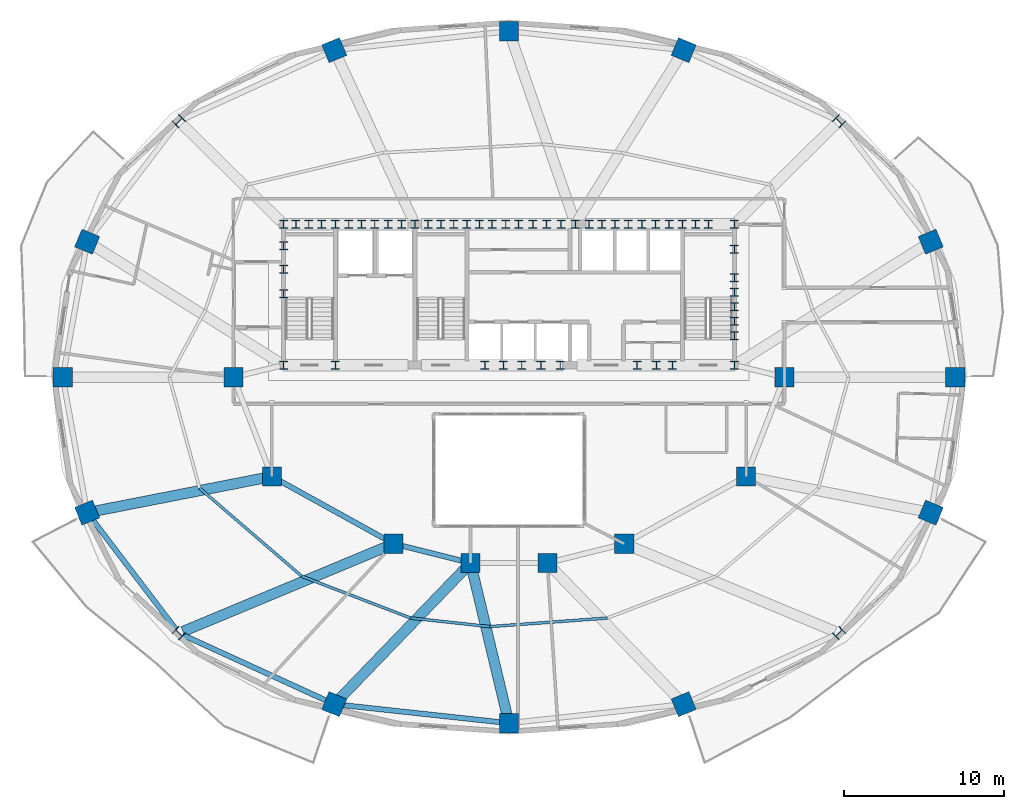
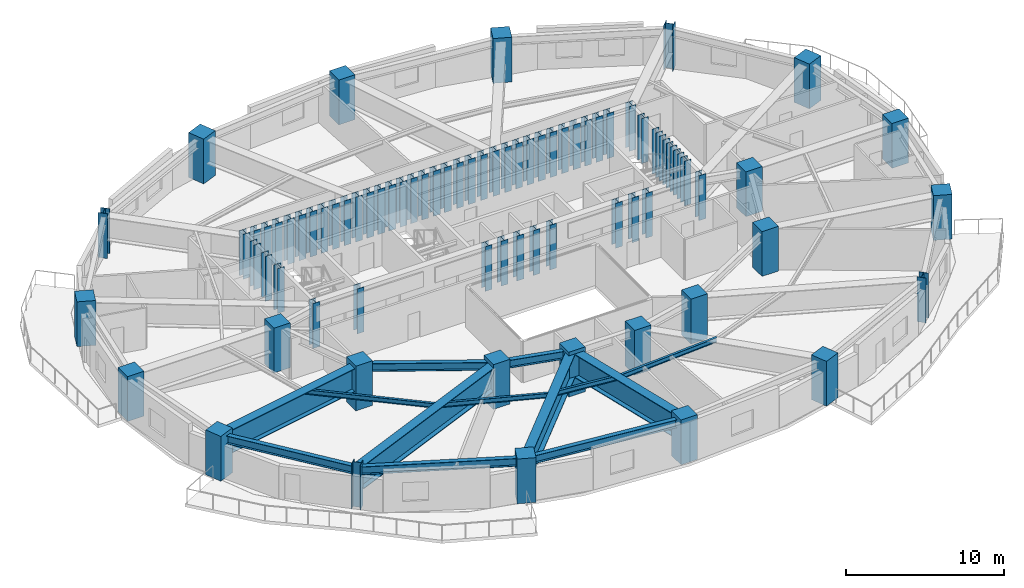
# One storey, part 1 of 13: 78 columns, 13 beams.
"""IFC4 building model written with IfcOpenShell, lengths in metres."""

from ifc_helpers import new_model, si_unit, direction, frame, origin, origin_2d, place, context, subcontext, project, spatial, rectangle, i_section, extrude, material, material_profile, profile_set, type_object, element, save


model = new_model("IFC4")

# Units and contexts
model_context = context("Model", 3, precision=1e-05, world=origin(), true_north=direction((0.0, 1.0)))
body_context = subcontext(model_context, "Body", "Model", "MODEL_VIEW")
ifc_project = project(units=[si_unit("LENGTHUNIT", "METRE"), si_unit("AREAUNIT", "SQUARE_METRE"), si_unit("VOLUMEUNIT", "CUBIC_METRE"), si_unit("PLANEANGLEUNIT", "RADIAN"), si_unit("MASSUNIT", "GRAM", prefix="KILO")], contexts=[model_context])

# Site, building, storey
site_placement = place(None, origin())
site = spatial("IfcSite", under=ifc_project, at=site_placement, CompositionType="ELEMENT")
building_placement = place(site_placement, origin())
building = spatial("IfcBuilding", under=site, at=building_placement, Name="Haldorwick Loom Tower", CompositionType="ELEMENT")
storey_placement = place(building_placement, frame((0.0, 0.0, 127.699951171875)))
storey = spatial("IfcBuildingStorey", under=building, at=storey_placement, Name="L34", CompositionType="ELEMENT", Elevation=127.699951171875)

# Columns
ifc_material_1 = material(Name="Concrete C60 (60 MPa)", Category="concrete")
ifc_material_profile_1 = material_profile(ifc_material_1, rectangle(XDim=1.199951171875, YDim=1.199951171875, at=origin_2d()), Name="RC1200X1200", Category="concrete")
ifc_profile_set_1 = profile_set([ifc_material_profile_1], Name="Concrete C60 (60 MPa)")
column_type_1 = type_object("IfcColumnType", Name="STR-COL-RC1200", PredefinedType="COLUMN", material=ifc_profile_set_1)
for number, where, z_axis, x_axis, name in (
    (1, (53.199951171875, 26.0, 0.0), (0.0, 0.0, 1.0), (1.0, 0.0, 0.0), "L34 Inner Column IC-01"),
    (2, (50.800048828125, 19.800048828125, 0.0), (0.0, 0.0, 1.0), (1.0, 0.0, 0.0), "L34 Inner Column IC-02"),
    (3, (43.199951171875, 15.60009765625, 0.0), (0.0, 0.0, 1.0), (1.0, 0.0, 0.0), "L34 Inner Column IC-03"),
    (4, (38.39990234375, 14.39990234375, 0.0), (0.0, 0.0, 1.0), (1.0, 0.0, 0.0), "L34 Inner Column IC-04"),
    (5, (33.60009765625, 14.39990234375, 0.0), (0.0, 0.0, 1.0), (1.0, 0.0, 0.0), "L34 Inner Column IC-05"),
    (6, (28.800048828125, 15.60009765625, 0.0), (0.0, 0.0, 1.0), (1.0, 0.0, 0.0), "L34 Inner Column IC-06"),
    (7, (21.199951171875, 19.800048828125, 0.0), (0.0, 0.0, 1.0), (1.0, 0.0, 0.0), "L34 Inner Column IC-07"),
    (8, (18.800048828125, 26.0, 0.0), (0.0, 0.0, 1.0), (1.0, 0.0, 0.0), "L34 Inner Column IC-08"),
    (9, (63.857666015625, 26.0, 0.0), (0.0, 0.0, 1.0), (1.0, 0.0, 0.0), "L34 Perimeter Pier Column P01"),
    (10, (62.33056640625, 34.457275390625, 0.0), (0.0, 0.0, 1.0), (0.923879532511, 0.382683432365, 0.0), "L34 Perimeter Pier Column P02"),
    (11, (46.906494140625, 46.417724609375, 0.0), (0.0, 0.0, 1.0), (0.382683432365, 0.923879532511, 0.0), "L34 Perimeter Pier Column P04"),
    (12, (36.0, 47.598388671875, 0.0), (0.0, 0.0, 1.0), (0.0, 1.0, 0.0), "L34 Perimeter Pier Column P05"),
    (13, (25.093505859375, 46.417724609375, 0.0), (0.0, 0.0, 1.0), (-0.382683432365, 0.923879532511, 0.0), "L34 Perimeter Pier Column P06"),
    (14, (9.66943359375, 34.457275390625, 0.0), (0.0, 0.0, 1.0), (-0.923879532511, 0.382683432365, 0.0), "L34 Perimeter Pier Column P08"),
    (15, (8.142333984375, 26.0, 0.0), (0.0, 0.0, 1.0), (-1.0, 0.0, 0.0), "L34 Perimeter Pier Column P09"),
    (16, (9.66943359375, 17.542724609375, 0.0), (0.0, 0.0, 1.0), (-0.923879532511, -0.382683432365, 0.0), "L34 Perimeter Pier Column P10"),
    (17, (25.093505859375, 5.582275390625, 0.0), (0.0, 0.0, 1.0), (-0.382683432365, -0.923879532511, 0.0), "L34 Perimeter Pier Column P12"),
    (18, (36.0, 4.401611328125, 0.0), (0.0, 0.0, 1.0), (0.0, -1.0, 0.0), "L34 Perimeter Pier Column P13"),
    (19, (46.906494140625, 5.582275390625, 0.0), (0.0, 0.0, 1.0), (0.382683432365, -0.923879532511, 0.0), "L34 Perimeter Pier Column P14"),
    (20, (62.33056640625, 17.542724609375, 0.0), (0.0, 0.0, 1.0), (0.923879532511, -0.382683432365, 0.0), "L34 Perimeter Pier Column P16"),
):
    element("IfcColumn", number, at=place(storey_placement, frame(where, z_axis=z_axis, x_axis=x_axis)), inside=storey, type_object=column_type_1, Name=name, PredefinedType="COLUMN", context=body_context, shape_type="SweptSolid", body=[
        extrude(rectangle(XDim=1.199951171875, YDim=1.199951171875, at=origin_2d()), origin(), (0.0, 0.0, 1.0), 3.449951171875),
    ])
ifc_material_2 = material(Name="Steel CSA G40.21 350WT", Category="steel")
ifc_material_profile_2 = material_profile(ifc_material_2, i_section(OverallWidth=0.5, OverallDepth=0.5, WebThickness=0.02197265625, FlangeThickness=0.031982421875, at=origin_2d()), Name="WWF500X500", Category="steel")
ifc_profile_set_2 = profile_set([ifc_material_profile_2], Name="Steel CSA G40.21 350WT")
column_type_2 = type_object("IfcColumnType", Name="STR-COL-WWF500", PredefinedType="COLUMN", material=ifc_profile_set_2)
for number, where, z_axis, x_axis, name in (
    (21, (21.929931640625, 35.550048828125, 0.0), (0.0, 0.0, 1.0), (1.0, 0.0, 0.0), "L34 Core Pilaster CB-01"),
    (22, (23.5, 35.550048828125, 0.0), (0.0, 0.0, 1.0), (1.0, 0.0, 0.0), "L34 Core Pilaster CB-02"),
    (23, (25.169921875, 35.550048828125, 0.0), (0.0, 0.0, 1.0), (1.0, 0.0, 0.0), "L34 Core Pilaster CB-03"),
    (24, (26.800048828125, 35.550048828125, 0.0), (0.0, 0.0, 1.0), (1.0, 0.0, 0.0), "L34 Core Pilaster CB-04"),
    (25, (28.449951171875, 35.550048828125, 0.0), (0.0, 0.0, 1.0), (1.0, 0.0, 0.0), "L34 Core Pilaster CB-05"),
    (26, (30.1298828125, 35.550048828125, 0.0), (0.0, 0.0, 1.0), (1.0, 0.0, 0.0), "L34 Core Pilaster CB-06"),
    (27, (31.75, 35.550048828125, 0.0), (0.0, 0.0, 1.0), (1.0, 0.0, 0.0), "L34 Core Pilaster CB-07"),
    (28, (33.3701171875, 35.550048828125, 0.0), (0.0, 0.0, 1.0), (1.0, 0.0, 0.0), "L34 Core Pilaster CB-08"),
    (29, (34.949951171875, 35.550048828125, 0.0), (0.0, 0.0, 1.0), (1.0, 0.0, 0.0), "L34 Core Pilaster CB-09"),
    (30, (36.60009765625, 35.550048828125, 0.0), (0.0, 0.0, 1.0), (1.0, 0.0, 0.0), "L34 Core Pilaster CB-10"),
    (31, (38.35009765625, 35.550048828125, 0.0), (0.0, 0.0, 1.0), (1.0, 0.0, 0.0), "L34 Core Pilaster CB-11"),
    (32, (40.14990234375, 35.550048828125, 0.0), (0.0, 0.0, 1.0), (1.0, 0.0, 0.0), "L34 Core Pilaster CB-12"),
    (33, (41.800048828125, 35.550048828125, 0.0), (0.0, 0.0, 1.0), (1.0, 0.0, 0.0), "L34 Core Pilaster CB-13"),
    (34, (43.449951171875, 35.550048828125, 0.0), (0.0, 0.0, 1.0), (1.0, 0.0, 0.0), "L34 Core Pilaster CB-14"),
    (35, (45.14990234375, 35.550048828125, 0.0), (0.0, 0.0, 1.0), (1.0, 0.0, 0.0), "L34 Core Pilaster CB-15"),
    (36, (46.830078125, 35.550048828125, 0.0), (0.0, 0.0, 1.0), (1.0, 0.0, 0.0), "L34 Core Pilaster CB-16"),
    (37, (48.449951171875, 35.550048828125, 0.0), (0.0, 0.0, 1.0), (1.0, 0.0, 0.0), "L34 Core Pilaster CB-17"),
    (38, (50.070068359375, 35.550048828125, 0.0), (0.0, 0.0, 1.0), (1.0, 0.0, 0.0), "L34 Core Pilaster CB-18"),
    (39, (21.929931640625, 26.75, 0.0), (0.0, 0.0, 1.0), (1.0, 0.0, 0.0), "L34 Core Pilaster CB-19"),
    (40, (25.169921875, 26.75, 0.0), (0.0, 0.0, 1.0), (1.0, 0.0, 0.0), "L34 Core Pilaster CB-20"),
    (41, (34.5, 26.75, 0.0), (0.0, 0.0, 1.0), (1.0, 0.0, 0.0), "L34 Core Pilaster CB-21"),
    (42, (36.800048828125, 26.75, 0.0), (0.0, 0.0, 1.0), (1.0, 0.0, 0.0), "L34 Core Pilaster CB-22"),
    (43, (39.199951171875, 26.75, 0.0), (0.0, 0.0, 1.0), (1.0, 0.0, 0.0), "L34 Core Pilaster CB-23"),
    (44, (45.199951171875, 26.75, 0.0), (0.0, 0.0, 1.0), (1.0, 0.0, 0.0), "L34 Core Pilaster CB-24"),
    (45, (50.070068359375, 26.75, 0.0), (0.0, 0.0, 1.0), (1.0, 0.0, 0.0), "L34 Core Pilaster CB-25"),
    (46, (21.929931640625, 31.199951171875, 0.0), (0.0, 0.0, 1.0), (1.0, 0.0, 0.0), "L34 Core Pilaster CB-26"),
    (47, (21.929931640625, 32.75, 0.0), (0.0, 0.0, 1.0), (1.0, 0.0, 0.0), "L34 Core Pilaster CB-27"),
    (48, (21.929931640625, 34.199951171875, 0.0), (0.0, 0.0, 1.0), (1.0, 0.0, 0.0), "L34 Core Pilaster CB-28"),
    (49, (50.070068359375, 28.60009765625, 0.0), (0.0, 0.0, 1.0), (1.0, 0.0, 0.0), "L34 Core Pilaster CB-29"),
    (50, (50.070068359375, 30.39990234375, 0.0), (0.0, 0.0, 1.0), (1.0, 0.0, 0.0), "L34 Core Pilaster CB-30"),
    (51, (50.070068359375, 32.199951171875, 0.0), (0.0, 0.0, 1.0), (1.0, 0.0, 0.0), "L34 Core Pilaster CB-31"),
    (52, (50.070068359375, 34.0, 0.0), (0.0, 0.0, 1.0), (1.0, 0.0, 0.0), "L34 Core Pilaster CB-32"),
    (53, (22.699951171875, 35.550048828125, 0.0), (0.0, 0.0, 1.0), (1.0, 0.0, 0.0), "L34 Core Pilaster CB-33"),
    (54, (27.6201171875, 35.550048828125, 0.0), (0.0, 0.0, 1.0), (1.0, 0.0, 0.0), "L34 Core Pilaster CB-34"),
    (55, (32.550048828125, 35.550048828125, 0.0), (0.0, 0.0, 1.0), (1.0, 0.0, 0.0), "L34 Core Pilaster CB-35"),
    (56, (37.5, 35.550048828125, 0.0), (0.0, 0.0, 1.0), (1.0, 0.0, 0.0), "L34 Core Pilaster CB-36"),
    (57, (42.6201171875, 35.550048828125, 0.0), (0.0, 0.0, 1.0), (1.0, 0.0, 0.0), "L34 Core Pilaster CB-37"),
    (58, (47.64990234375, 35.550048828125, 0.0), (0.0, 0.0, 1.0), (1.0, 0.0, 0.0), "L34 Core Pilaster CB-38"),
    (59, (24.300048828125, 35.550048828125, 0.0), (0.0, 0.0, 1.0), (1.0, 0.0, 0.0), "L34 Core Pilaster CB-39"),
    (60, (26.0, 35.550048828125, 0.0), (0.0, 0.0, 1.0), (1.0, 0.0, 0.0), "L34 Core Pilaster CB-40"),
    (61, (29.300048828125, 35.550048828125, 0.0), (0.0, 0.0, 1.0), (1.0, 0.0, 0.0), "L34 Core Pilaster CB-41"),
    (62, (30.949951171875, 35.550048828125, 0.0), (0.0, 0.0, 1.0), (1.0, 0.0, 0.0), "L34 Core Pilaster CB-42"),
    (63, (34.14990234375, 35.550048828125, 0.0), (0.0, 0.0, 1.0), (1.0, 0.0, 0.0), "L34 Core Pilaster CB-43"),
    (64, (35.800048828125, 35.550048828125, 0.0), (0.0, 0.0, 1.0), (1.0, 0.0, 0.0), "L34 Core Pilaster CB-44"),
    (65, (39.25, 35.550048828125, 0.0), (0.0, 0.0, 1.0), (1.0, 0.0, 0.0), "L34 Core Pilaster CB-45"),
    (66, (41.0, 35.550048828125, 0.0), (0.0, 0.0, 1.0), (1.0, 0.0, 0.0), "L34 Core Pilaster CB-46"),
    (67, (44.300048828125, 35.550048828125, 0.0), (0.0, 0.0, 1.0), (1.0, 0.0, 0.0), "L34 Core Pilaster CB-47"),
    (68, (46.0, 35.550048828125, 0.0), (0.0, 0.0, 1.0), (1.0, 0.0, 0.0), "L34 Core Pilaster CB-48"),
    (69, (50.070068359375, 29.5, 0.0), (0.0, 0.0, 1.0), (1.0, 0.0, 0.0), "L34 Core Pilaster CB-49"),
    (70, (50.070068359375, 31.300048828125, 0.0), (0.0, 0.0, 1.0), (1.0, 0.0, 0.0), "L34 Core Pilaster CB-50"),
    (71, (35.64990234375, 26.75, 0.0), (0.0, 0.0, 1.0), (1.0, 0.0, 0.0), "L34 Core Pilaster CB-51"),
    (72, (38.0, 26.75, 0.0), (0.0, 0.0, 1.0), (1.0, 0.0, 0.0), "L34 Core Pilaster CB-52"),
    (73, (44.0, 26.75, 0.0), (0.0, 0.0, 1.0), (1.0, 0.0, 0.0), "L34 Core Pilaster CB-53"),
    (74, (46.199951171875, 26.75, 0.0), (0.0, 0.0, 1.0), (1.0, 0.0, 0.0), "L34 Core Pilaster CB-54"),
):
    element("IfcColumn", number, at=place(storey_placement, frame(where, z_axis=z_axis, x_axis=x_axis)), inside=storey, type_object=column_type_2, Name=name, PredefinedType="COLUMN", context=body_context, shape_type="SweptSolid", body=[
        extrude(i_section(OverallWidth=0.5, OverallDepth=0.5, WebThickness=0.02197265625, FlangeThickness=0.031982421875, at=origin_2d()), origin(), (0.0, 0.0, 1.0), 3.449951171875),
    ])
ifc_material_profile_3 = material_profile(ifc_material_2, i_section(OverallWidth=0.60009765625, OverallDepth=0.60009765625, WebThickness=0.02490234375, FlangeThickness=0.035888671875, at=origin_2d()), Name="WWF600X600", Category="steel")
ifc_profile_set_3 = profile_set([ifc_material_profile_3], Name="Steel CSA G40.21 350WT")
column_type_3 = type_object("IfcColumnType", Name="STR-COL-WWF600", PredefinedType="COLUMN", material=ifc_profile_set_3)
for number, where, z_axis, x_axis, name in (
    (75, (56.606689453125, 41.981689453125, 0.0), (0.0, 0.0, 1.0), (0.707106781187, 0.707106781187, 0.0), "L34 Perimeter Pier Column P03"),
    (76, (15.393310546875, 41.981689453125, 0.0), (0.0, 0.0, 1.0), (-0.707106781187, 0.707106781187, 0.0), "L34 Perimeter Pier Column P07"),
    (77, (15.393310546875, 10.018310546875, 0.0), (0.0, 0.0, 1.0), (-0.707106781187, -0.707106781187, 0.0), "L34 Perimeter Pier Column P11"),
    (78, (56.606689453125, 10.018310546875, 0.0), (0.0, 0.0, 1.0), (0.707106781187, -0.707106781187, 0.0), "L34 Perimeter Pier Column P15"),
):
    element("IfcColumn", number, at=place(storey_placement, frame(where, z_axis=z_axis, x_axis=x_axis)), inside=storey, type_object=column_type_3, Name=name, PredefinedType="COLUMN", context=body_context, shape_type="SweptSolid", body=[
        extrude(i_section(OverallWidth=0.60009765625, OverallDepth=0.60009765625, WebThickness=0.02490234375, FlangeThickness=0.035888671875, at=origin_2d()), origin(), (0.0, 0.0, 1.0), 3.449951171875),
    ])

# Beams
ifc_material_3 = material(Name="Steel CSA G40.21 350W", Category="steel")
ifc_material_profile_4 = material_profile(ifc_material_3, i_section(OverallWidth=0.172119140625, OverallDepth=0.35791015625, WebThickness=0.0078125, FlangeThickness=0.01318359375, at=origin_2d()), Name="W360X57", Category="steel")
ifc_profile_set_4 = profile_set([ifc_material_profile_4], Name="Steel CSA G40.21 350W")
beam_type_1 = type_object("IfcBeamType", Name="STR-BM-J360", PredefinedType="JOIST", material=ifc_profile_set_4)
beam_1_placement = place(storey_placement, frame((16.681884765625, 19.072998046875, 2.990966796875), z_axis=(0.75763401328, -0.652679631918, 0.0), x_axis=(0.652679631918, 0.75763401328, 0.0)))
element("IfcBeam", 79, at=beam_1_placement, inside=storey, type_object=beam_type_1, Name="L34 Mid-Bay Secondary Joist 10", PredefinedType="JOIST", context=body_context, shape_type="SweptSolid", body=[
    extrude(i_section(OverallWidth=0.172119140625, OverallDepth=0.35791015625, WebThickness=0.0078125, FlangeThickness=0.01318359375, at=origin_2d()), origin(), (0.0, 0.0, 1.0), 8.4345703125),
])
beam_2_placement = place(storey_placement, frame((23.072265625, 13.56787109375, 2.990966796875), z_axis=(0.933586737031, -0.358351509609, 0.0), x_axis=(0.358351509609, 0.933586737031, 0.0)))
element("IfcBeam", 80, at=beam_2_placement, inside=storey, type_object=beam_type_1, Name="L34 Mid-Bay Secondary Joist 11", PredefinedType="JOIST", context=body_context, shape_type="SweptSolid", body=[
    extrude(i_section(OverallWidth=0.172119140625, OverallDepth=0.35791015625, WebThickness=0.0078125, FlangeThickness=0.01318359375, at=origin_2d()), origin(), (0.0, 0.0, 1.0), 7.274169921875),
])
beam_3_placement = place(storey_placement, frame((29.86328125, 10.961181640625, 2.990966796875), z_axis=(0.994212584227, -0.107430616514, 0.0), x_axis=(0.107430616514, 0.994212584227, 0.0)))
element("IfcBeam", 81, at=beam_3_placement, inside=storey, type_object=beam_type_1, Name="L34 Mid-Bay Secondary Joist 12", PredefinedType="JOIST", context=body_context, shape_type="SweptSolid", body=[
    extrude(i_section(OverallWidth=0.172119140625, OverallDepth=0.35791015625, WebThickness=0.0078125, FlangeThickness=0.01318359375, at=origin_2d()), origin(), (0.0, 0.0, 1.0), 4.965576171875),
])
beam_4_placement = place(storey_placement, frame((34.800048828125, 10.427734375, 2.990966796875), z_axis=(0.997367082818, 0.072518288109, 0.0), x_axis=(-0.072518288109, 0.997367082818, 0.0)))
element("IfcBeam", 82, at=beam_4_placement, inside=storey, type_object=beam_type_1, Name="L34 Mid-Bay Secondary Joist 13", PredefinedType="JOIST", context=body_context, shape_type="SweptSolid", body=[
    extrude(i_section(OverallWidth=0.172119140625, OverallDepth=0.35791015625, WebThickness=0.0078125, FlangeThickness=0.01318359375, at=origin_2d()), origin(), (0.0, 0.0, 1.0), 7.35595703125),
])
ifc_material_profile_5 = material_profile(ifc_material_3, i_section(OverallWidth=0.324951171875, OverallDepth=0.615966796875, WebThickness=0.013916015625, FlangeThickness=0.021484375, at=origin_2d()), Name="W610X174", Category="steel")
ifc_profile_set_5 = profile_set([ifc_material_profile_5], Name="Steel CSA G40.21 350W")
beam_type_2 = type_object("IfcBeamType", Name="STR-BM-SP610", PredefinedType="SPANDREL", material=ifc_profile_set_5)
beam_5_placement = place(storey_placement, frame((9.984130859375, 17.12890625, 2.862060546875), z_axis=(0.605453508047, -0.795880675475, 0.0), x_axis=(0.795880675475, 0.605453508047, 0.0)))
element("IfcBeam", 83, at=beam_5_placement, inside=storey, type_object=beam_type_2, Name="L34 Perimeter Spandrel 10", PredefinedType="SPANDREL", context=body_context, shape_type="SweptSolid", body=[
    extrude(i_section(OverallWidth=0.324951171875, OverallDepth=0.615966796875, WebThickness=0.013916015625, FlangeThickness=0.021484375, at=origin_2d()), origin(), (0.0, 0.0, 1.0), 8.6591796875),
])
beam_6_placement = place(storey_placement, frame((15.643310546875, 9.90380859375, 2.862060546875), z_axis=(0.909423969306, -0.415870225011, 0.0), x_axis=(0.415870225011, 0.909423969306, 0.0)))
element("IfcBeam", 84, at=beam_6_placement, inside=storey, type_object=beam_type_2, Name="L34 Perimeter Spandrel 11", PredefinedType="SPANDREL", context=body_context, shape_type="SweptSolid", body=[
    extrude(i_section(OverallWidth=0.324951171875, OverallDepth=0.615966796875, WebThickness=0.013916015625, FlangeThickness=0.021484375, at=origin_2d()), origin(), (0.0, 0.0, 1.0), 9.871337890625),
])
beam_7_placement = place(storey_placement, frame((25.610595703125, 5.5263671875, 2.862060546875), z_axis=(0.994190135627, -0.107638163409, 0.0), x_axis=(0.107638163409, 0.994190135627, 0.0)))
element("IfcBeam", 85, at=beam_7_placement, inside=storey, type_object=beam_type_2, Name="L34 Perimeter Spandrel 12", PredefinedType="SPANDREL", context=body_context, shape_type="SweptSolid", body=[
    extrude(i_section(OverallWidth=0.324951171875, OverallDepth=0.615966796875, WebThickness=0.013916015625, FlangeThickness=0.021484375, at=origin_2d()), origin(), (0.0, 0.0, 1.0), 9.929931640625),
])
ifc_material_profile_6 = material_profile(ifc_material_2, i_section(OverallWidth=0.64990234375, OverallDepth=1.800048828125, WebThickness=0.02587890625, FlangeThickness=0.048095703125, at=origin_2d()), Name="WWF1800X650", Category="steel")
ifc_profile_set_6 = profile_set([ifc_material_profile_6], Name="Steel CSA G40.21 350WT")
beam_type_3 = type_object("IfcBeamType", Name="STR-BM-TG1800", PredefinedType="BEAM", material=ifc_profile_set_6)
beam_8_placement = place(storey_placement, frame((20.689697265625, 19.7001953125, 2.27001953125), z_axis=(-0.981369581426, -0.192129499692, 0.0), x_axis=(0.192129499692, -0.981369581426, 0.0)))
element("IfcBeam", 86, at=beam_8_placement, inside=storey, type_object=beam_type_3, Name="L34 Setback Inner Transfer Girder 10", PredefinedType="BEAM", context=body_context, shape_type="SweptSolid", body=[
    extrude(i_section(OverallWidth=0.64990234375, OverallDepth=1.800048828125, WebThickness=0.02587890625, FlangeThickness=0.048095703125, at=origin_2d()), origin(), (0.0, 0.0, 1.0), 10.70947265625),
])
beam_9_placement = place(storey_placement, frame((28.31982421875, 15.400146484375, 2.27001953125), z_axis=(-0.923183704764, -0.384359008297, 0.0), x_axis=(0.384359008297, -0.923183704764, 0.0)))
element("IfcBeam", 87, at=beam_9_placement, inside=storey, type_object=beam_type_3, Name="L34 Setback Inner Transfer Girder 11", PredefinedType="BEAM", context=body_context, shape_type="SweptSolid", body=[
    extrude(i_section(OverallWidth=0.64990234375, OverallDepth=1.800048828125, WebThickness=0.02587890625, FlangeThickness=0.048095703125, at=origin_2d()), origin(), (0.0, 0.0, 1.0), 13.72705078125),
])
beam_10_placement = place(storey_placement, frame((33.239013671875, 14.02587890625, 2.27001953125), z_axis=(-0.694287071595, -0.719698174387, 0.0), x_axis=(0.719698174387, -0.694287071595, 0.0)))
element("IfcBeam", 88, at=beam_10_placement, inside=storey, type_object=beam_type_3, Name="L34 Setback Inner Transfer Girder 12", PredefinedType="BEAM", context=body_context, shape_type="SweptSolid", body=[
    extrude(i_section(OverallWidth=0.64990234375, OverallDepth=1.800048828125, WebThickness=0.02587890625, FlangeThickness=0.048095703125, at=origin_2d()), origin(), (0.0, 0.0, 1.0), 11.212158203125),
])
beam_11_placement = place(storey_placement, frame((33.721435546875, 13.894287109375, 2.27001953125), z_axis=(0.233406920764, -0.972379148964, 0.0), x_axis=(0.972379148964, 0.233406920764, 0.0)))
element("IfcBeam", 89, at=beam_11_placement, inside=storey, type_object=beam_type_3, Name="L34 Setback Inner Transfer Girder 13", PredefinedType="BEAM", context=body_context, shape_type="SweptSolid", body=[
    extrude(i_section(OverallWidth=0.64990234375, OverallDepth=1.800048828125, WebThickness=0.02587890625, FlangeThickness=0.048095703125, at=origin_2d()), origin(), (0.0, 0.0, 1.0), 9.242431640625),
])
ifc_material_profile_7 = material_profile(ifc_material_3, i_section(OverallWidth=0.324951171875, OverallDepth=0.615966796875, WebThickness=0.013916015625, FlangeThickness=0.021484375, at=origin_2d()), Name="W610X174", Category="steel")
ifc_profile_set_7 = profile_set([ifc_material_profile_7], Name="Steel CSA G40.21 350W")
beam_type_4 = type_object("IfcBeamType", Name="STR-BM-W610A", PredefinedType="BEAM", material=ifc_profile_set_7)
beam_12_placement = place(storey_placement, frame((33.095458984375, 14.526123046875, 2.862060546875), z_axis=(-0.970142500145, 0.242535625036, 0.0), x_axis=(-0.242535625036, -0.970142500145, 0.0)))
element("IfcBeam", 90, at=beam_12_placement, inside=storey, type_object=beam_type_4, Name="L34 Inner Ring Girder 6", PredefinedType="BEAM", context=body_context, shape_type="SweptSolid", body=[
    extrude(i_section(OverallWidth=0.324951171875, OverallDepth=0.615966796875, WebThickness=0.013916015625, FlangeThickness=0.021484375, at=origin_2d()), origin(), (0.0, 0.0, 1.0), 3.90771484375),
])
beam_13_placement = place(storey_placement, frame((28.344970703125, 15.8515625, 2.862060546875), z_axis=(-0.875244382146, 0.483680960471, 0.0), x_axis=(-0.483680960471, -0.875244382146, 0.0)))
element("IfcBeam", 91, at=beam_13_placement, inside=storey, type_object=beam_type_4, Name="L34 Inner Ring Girder 7", PredefinedType="BEAM", context=body_context, shape_type="SweptSolid", body=[
    extrude(i_section(OverallWidth=0.324951171875, OverallDepth=0.615966796875, WebThickness=0.013916015625, FlangeThickness=0.021484375, at=origin_2d()), origin(), (0.0, 0.0, 1.0), 7.6435546875),
])

save(model, "model.ifc")
